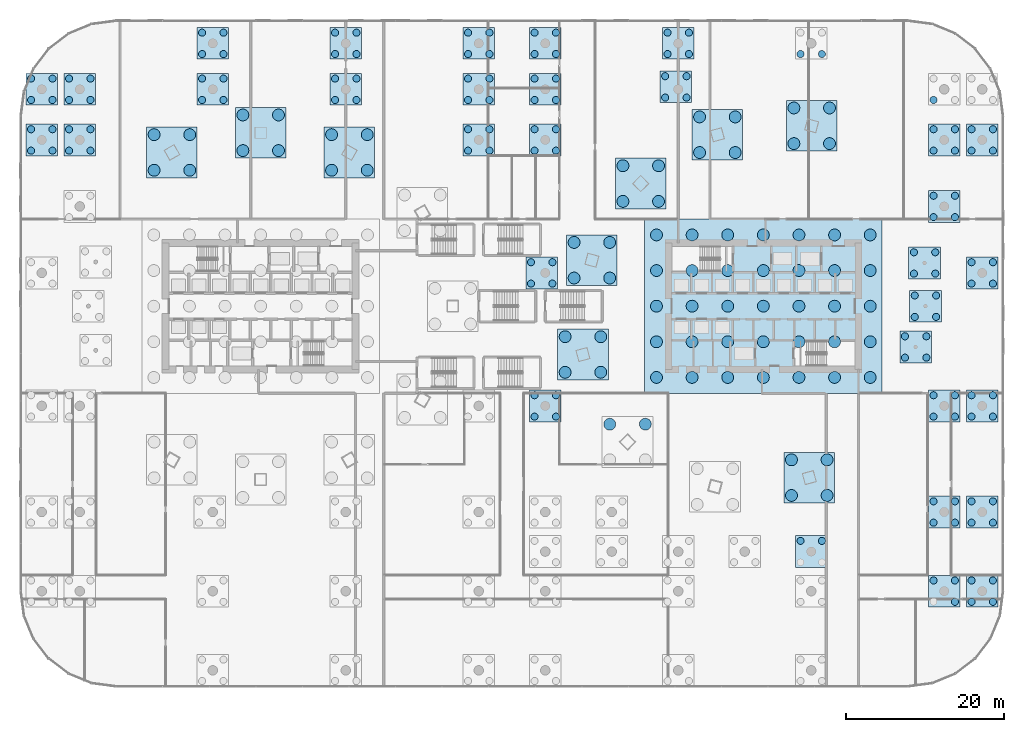
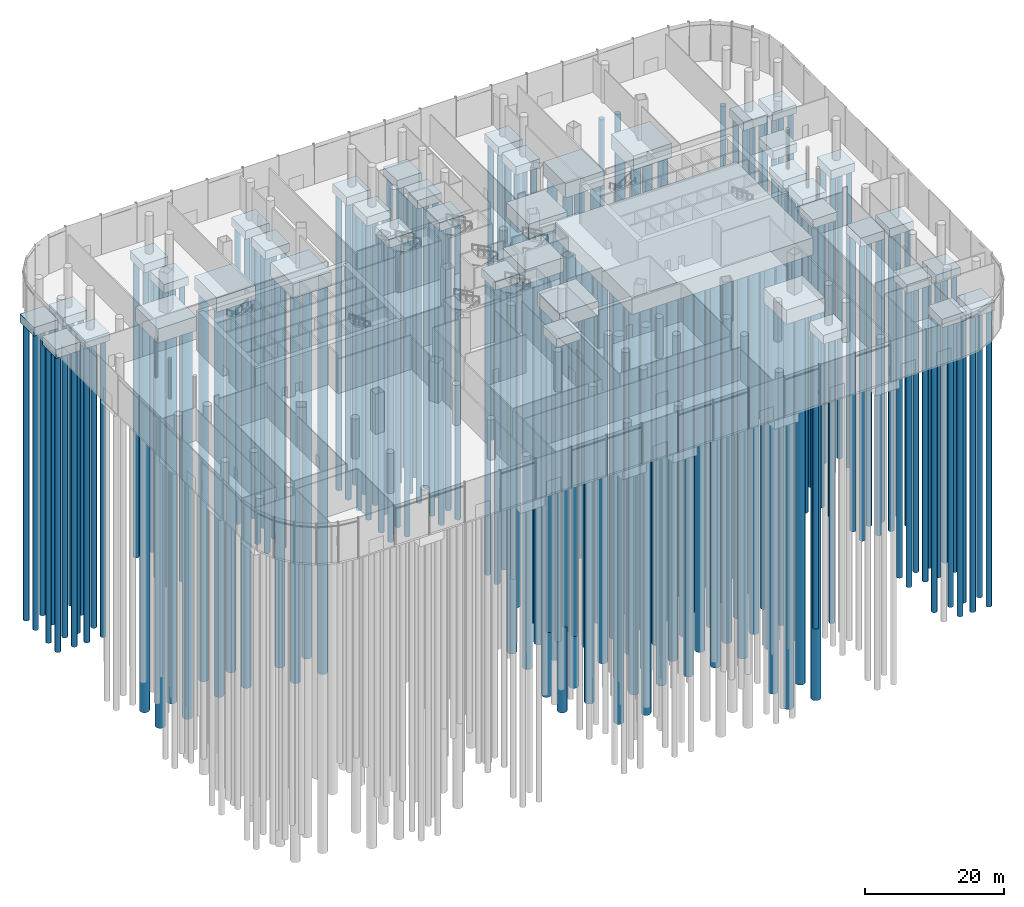
# One storey, part 2 of 41: 201 piles, 42 footings.
"""IFC4 building model written with IfcOpenShell, lengths in metres."""

from ifc_helpers import new_model, si_unit, direction, frame, origin, origin_2d, place, context, subcontext, project, spatial, polyline, rectangle, circle, outline, extrude, material, material_profile, profile_set, type_object, element, save


model = new_model("IFC4")

# Units and contexts
model_context = context("Model", 3, precision=1e-05, world=origin(), true_north=direction((0.0, 1.0)))
body_context = subcontext(model_context, "Body", "Model", "MODEL_VIEW")
ifc_project = project(units=[si_unit("LENGTHUNIT", "METRE"), si_unit("AREAUNIT", "SQUARE_METRE"), si_unit("VOLUMEUNIT", "CUBIC_METRE"), si_unit("PLANEANGLEUNIT", "RADIAN"), si_unit("MASSUNIT", "GRAM", prefix="KILO")], contexts=[model_context])

# Site, building, storey
site_placement = place(None, origin())
site = spatial("IfcSite", under=ifc_project, at=site_placement, CompositionType="ELEMENT")
building_placement = place(site_placement, origin())
building = spatial("IfcBuilding", under=site, at=building_placement, Name="Rimbun Link Towers", CompositionType="ELEMENT")
storey_placement = place(building_placement, origin())
storey = spatial("IfcBuildingStorey", under=building, at=storey_placement, Name="L00", CompositionType="ELEMENT", Elevation=0.0)

# Footings
ifc_material_1 = material(Name="Concrete C50/60", Category="concrete")
footing_type_1 = type_object("IfcFootingType", Name="PILE CAP 4000x4000x1500", PredefinedType="PILE_CAP", material=ifc_material_1)
for number, where, z_axis, x_axis, name in (
    (1, (50.98828125, -5.15478515625, -1.800048828125), (0.0, 0.0, 1.0), (1.0, 0.0, 0.0), "Recess post cap T2 20"),
    (2, (52.226318359375, 0.0, -1.800048828125), (0.0, 0.0, 1.0), (1.0, 0.0, 0.0), "Recess post cap T2 21"),
    (3, (52.118408203125, 5.457763671875, -1.800048828125), (0.0, 0.0, 1.0), (1.0, 0.0, 0.0), "Recess post cap T2 22"),
    (4, (-59.39990234375, 21.0, -1.800048828125), (0.0, 0.0, 1.0), (1.0, 0.0, 0.0), "Pad cap -59.4 +21.0"),
    (5, (-59.39990234375, 27.39990234375, -1.800048828125), (0.0, 0.0, 1.0), (1.0, 0.0, 0.0), "Pad cap -59.4 +27.4"),
    (6, (-54.60009765625, 21.0, -1.800048828125), (0.0, 0.0, 1.0), (1.0, 0.0, 0.0), "Pad cap -54.6 +21.0"),
    (7, (-54.60009765625, 27.39990234375, -1.800048828125), (0.0, 0.0, 1.0), (1.0, 0.0, 0.0), "Pad cap -54.6 +27.4"),
    (8, (-37.800048828125, 27.39990234375, -1.800048828125), (0.0, 0.0, 1.0), (1.0, 0.0, 0.0), "Pad cap -37.8 +27.4"),
    (9, (-37.800048828125, 33.199951171875, -1.800048828125), (0.0, 0.0, 1.0), (1.0, 0.0, 0.0), "Pad cap -37.8 +33.2"),
    (10, (-21.0, 27.39990234375, -1.800048828125), (0.0, 0.0, 1.0), (1.0, 0.0, 0.0), "Pad cap -21.0 +27.4"),
    (11, (-21.0, 33.199951171875, -1.800048828125), (0.0, 0.0, 1.0), (1.0, 0.0, 0.0), "Pad cap -21.0 +33.2"),
    (12, (-4.199951171875, 21.0, -1.800048828125), (0.0, 0.0, 1.0), (1.0, 0.0, 0.0), "Pad cap -4.2 +21.0"),
    (13, (-4.199951171875, 27.39990234375, -1.800048828125), (0.0, 0.0, 1.0), (1.0, 0.0, 0.0), "Pad cap -4.2 +27.4"),
    (14, (-4.199951171875, 33.199951171875, -1.800048828125), (0.0, 0.0, 1.0), (1.0, 0.0, 0.0), "Pad cap -4.2 +33.2"),
    (15, (4.199951171875, -12.60009765625, -1.800048828125), (0.0, 0.0, 1.0), (1.0, 0.0, 0.0), "Pad cap +4.2 -12.6"),
    (16, (3.75, 4.199951171875, -1.800048828125), (0.0, 0.0, 1.0), (1.0, 0.0, 0.0), "Pad cap +4.2 +4.2"),
    (17, (4.199951171875, 21.0, -1.800048828125), (0.0, 0.0, 1.0), (1.0, 0.0, 0.0), "Pad cap +4.2 +21.0"),
    (18, (4.199951171875, 27.39990234375, -1.800048828125), (0.0, 0.0, 1.0), (1.0, 0.0, 0.0), "Pad cap +4.2 +27.4"),
    (19, (4.199951171875, 33.199951171875, -1.800048828125), (0.0, 0.0, 1.0), (1.0, 0.0, 0.0), "Pad cap +4.2 +33.2"),
    (20, (20.699951171875, 27.699951171875, -1.800048828125), (0.0, 0.0, 1.0), (1.0, 0.0, 0.0), "Pad cap +21.0 +27.4"),
    (21, (21.0, 33.199951171875, -1.800048828125), (0.0, 0.0, 1.0), (1.0, 0.0, 0.0), "Pad cap +21.0 +33.2"),
    (22, (37.800048828125, -31.0, -1.800048828125), (0.0, 0.0, 1.0), (1.0, 0.0, 0.0), "Pad cap +37.8 -31.0"),
    (23, (54.60009765625, -36.0, -1.800048828125), (0.0, 0.0, 1.0), (1.0, 0.0, 0.0), "Pad cap +54.6 -36.0"),
    (24, (54.60009765625, -26.0, -1.800048828125), (0.0, 0.0, 1.0), (1.0, 0.0, 0.0), "Pad cap +54.6 -26.0"),
    (25, (54.60009765625, -12.60009765625, -1.800048828125), (0.0, 0.0, 1.0), (1.0, 0.0, 0.0), "Pad cap +54.6 -12.6"),
    (26, (54.60009765625, 12.60009765625, -1.800048828125), (0.0, 0.0, 1.0), (1.0, 0.0, 0.0), "Pad cap +54.6 +12.6"),
    (27, (54.60009765625, 21.0, -1.800048828125), (0.0, 0.0, 1.0), (1.0, 0.0, 0.0), "Pad cap +54.6 +21.0"),
    (28, (59.39990234375, -36.0, -1.800048828125), (0.0, 0.0, 1.0), (1.0, 0.0, 0.0), "Pad cap +59.4 -36.0"),
    (29, (59.39990234375, -26.0, -1.800048828125), (0.0, 0.0, 1.0), (1.0, 0.0, 0.0), "Pad cap +59.4 -26.0"),
    (30, (59.39990234375, -12.60009765625, -1.800048828125), (0.0, 0.0, 1.0), (1.0, 0.0, 0.0), "Pad cap +59.4 -12.6"),
    (31, (59.39990234375, 4.199951171875, -1.800048828125), (0.0, 0.0, 1.0), (1.0, 0.0, 0.0), "Pad cap +59.4 +4.2"),
    (32, (59.39990234375, 21.0, -1.800048828125), (0.0, 0.0, 1.0), (1.0, 0.0, 0.0), "Pad cap +59.4 +21.0"),
):
    element("IfcFooting", number, at=place(storey_placement, frame(where, z_axis=z_axis, x_axis=x_axis)), inside=storey, type_object=footing_type_1, Name=name, PredefinedType="PILE_CAP", context=body_context, shape_type="SweptSolid", body=[
        extrude(rectangle(XDim=4.0, YDim=4.0, at=origin_2d()), origin(), (0.0, 0.0, 1.0), 1.5),
    ])
ifc_material_2 = material(Name="Concrete C50/60", Category="concrete")
footing_type_2 = type_object("IfcFootingType", Name="PILE CAP 6400x6400x2500", PredefinedType="PILE_CAP", material=ifc_material_2)
for number, where, z_axis, x_axis, name in (
    (33, (-20.538818359375, 19.418212890625, -2.800048828125), (0.0, 0.0, 1.0), (1.0, 0.0, 0.0), "Mega column cap T1 04"),
    (34, (-31.75, 21.904296875, -2.800048828125), (0.0, 0.0, 1.0), (1.0, 0.0, 0.0), "Mega column cap T1 06"),
    (35, (-42.961181640625, 19.418212890625, -2.800048828125), (0.0, 0.0, 1.0), (1.0, 0.0, 0.0), "Mega column cap T1 08"),
    (36, (37.856689453125, 22.790283203125, -2.800048828125), (0.0, 0.0, 1.0), (1.0, 0.0, 0.0), "Mega column cap T2 02"),
    (37, (25.94677734375, 21.658203125, -2.800048828125), (0.0, 0.0, 1.0), (1.0, 0.0, 0.0), "Mega column cap T2 04"),
    (38, (16.261474609375, 15.488525390625, -2.800048828125), (0.0, 0.0, 1.0), (1.0, 0.0, 0.0), "Mega column cap T2 06"),
    (39, (10.091796875, 5.80322265625, -2.800048828125), (0.0, 0.0, 1.0), (1.0, 0.0, 0.0), "Mega column cap T2 08"),
    (40, (8.959716796875, -6.106689453125, -2.800048828125), (0.0, 0.0, 1.0), (1.0, 0.0, 0.0), "Mega column cap T2 10"),
    (41, (37.55322265625, -21.658203125, -2.800048828125), (0.0, 0.0, 1.0), (1.0, 0.0, 0.0), "Mega column cap T2 16"),
):
    element("IfcFooting", number, at=place(storey_placement, frame(where, z_axis=z_axis, x_axis=x_axis)), inside=storey, type_object=footing_type_2, Name=name, PredefinedType="PILE_CAP", context=body_context, shape_type="SweptSolid", body=[
        extrude(rectangle(XDim=6.39990234375, YDim=6.39990234375, at=origin_2d()), origin(), (0.0, 0.0, 1.0), 2.5),
    ])

# Piles
ifc_material_3 = material(Name="Concrete C40/50", Category="concrete")
ifc_material_profile_1 = material_profile(ifc_material_3, circle(Radius=0.75, at=origin_2d()), Name="PILE D1500")
ifc_profile_set_1 = profile_set([ifc_material_profile_1], Name="Concrete C40/50")
pile_type_1 = type_object("IfcPileType", Name="PILE D1500", PredefinedType="BORED", material=ifc_profile_set_1)
for number, where, z_axis, x_axis, name in (
    (42, (-22.788818359375, 17.168212890625, -2.699951171875), (0.0, 0.0, -1.0), (1.0, 0.0, 0.0), "Pile T1 cap 04 01"),
    (43, (-22.788818359375, 21.668212890625, -2.699951171875), (0.0, 0.0, -1.0), (1.0, 0.0, 0.0), "Pile T1 cap 04 02"),
    (44, (-18.288818359375, 17.168212890625, -2.699951171875), (0.0, 0.0, -1.0), (1.0, 0.0, 0.0), "Pile T1 cap 04 03"),
    (45, (-18.288818359375, 21.668212890625, -2.699951171875), (0.0, 0.0, -1.0), (1.0, 0.0, 0.0), "Pile T1 cap 04 04"),
    (46, (-34.0, 19.654296875, -2.699951171875), (0.0, 0.0, -1.0), (1.0, 0.0, 0.0), "Pile T1 cap 06 01"),
    (47, (-34.0, 24.154296875, -2.699951171875), (0.0, 0.0, -1.0), (1.0, 0.0, 0.0), "Pile T1 cap 06 02"),
    (48, (-29.5, 19.654296875, -2.699951171875), (0.0, 0.0, -1.0), (1.0, 0.0, 0.0), "Pile T1 cap 06 03"),
    (49, (-29.5, 24.154296875, -2.699951171875), (0.0, 0.0, -1.0), (1.0, 0.0, 0.0), "Pile T1 cap 06 04"),
    (50, (-45.211181640625, 17.168212890625, -2.699951171875), (0.0, 0.0, -1.0), (1.0, 0.0, 0.0), "Pile T1 cap 08 01"),
    (51, (-45.211181640625, 21.668212890625, -2.699951171875), (0.0, 0.0, -1.0), (1.0, 0.0, 0.0), "Pile T1 cap 08 02"),
    (52, (-40.711181640625, 17.168212890625, -2.699951171875), (0.0, 0.0, -1.0), (1.0, 0.0, 0.0), "Pile T1 cap 08 03"),
    (53, (-40.711181640625, 21.668212890625, -2.699951171875), (0.0, 0.0, -1.0), (1.0, 0.0, 0.0), "Pile T1 cap 08 04"),
    (54, (18.25, -9.0, -3.199951171875), (0.0, 0.0, -1.0), (1.0, 0.0, 0.0), "Pile T2 raft 01"),
    (55, (18.25, -4.5, -3.199951171875), (0.0, 0.0, -1.0), (1.0, 0.0, 0.0), "Pile T2 raft 02"),
    (56, (18.25, 0.0, -3.199951171875), (0.0, 0.0, -1.0), (1.0, 0.0, 0.0), "Pile T2 raft 03"),
    (57, (18.25, 4.5, -3.199951171875), (0.0, 0.0, -1.0), (1.0, 0.0, 0.0), "Pile T2 raft 04"),
    (58, (18.25, 9.0, -3.199951171875), (0.0, 0.0, -1.0), (1.0, 0.0, 0.0), "Pile T2 raft 05"),
    (59, (22.75, -9.0, -3.199951171875), (0.0, 0.0, -1.0), (1.0, 0.0, 0.0), "Pile T2 raft 06"),
    (60, (22.75, -4.5, -3.199951171875), (0.0, 0.0, -1.0), (1.0, 0.0, 0.0), "Pile T2 raft 07"),
    (61, (22.75, 0.0, -3.199951171875), (0.0, 0.0, -1.0), (1.0, 0.0, 0.0), "Pile T2 raft 08"),
    (62, (22.75, 4.5, -3.199951171875), (0.0, 0.0, -1.0), (1.0, 0.0, 0.0), "Pile T2 raft 09"),
    (63, (22.75, 9.0, -3.199951171875), (0.0, 0.0, -1.0), (1.0, 0.0, 0.0), "Pile T2 raft 10"),
    (64, (27.25, -9.0, -3.199951171875), (0.0, 0.0, -1.0), (1.0, 0.0, 0.0), "Pile T2 raft 11"),
    (65, (27.25, -4.5, -3.199951171875), (0.0, 0.0, -1.0), (1.0, 0.0, 0.0), "Pile T2 raft 12"),
    (66, (27.25, 0.0, -3.199951171875), (0.0, 0.0, -1.0), (1.0, 0.0, 0.0), "Pile T2 raft 13"),
    (67, (27.25, 4.5, -3.199951171875), (0.0, 0.0, -1.0), (1.0, 0.0, 0.0), "Pile T2 raft 14"),
    (68, (27.25, 9.0, -3.199951171875), (0.0, 0.0, -1.0), (1.0, 0.0, 0.0), "Pile T2 raft 15"),
    (69, (31.75, -9.0, -3.199951171875), (0.0, 0.0, -1.0), (1.0, 0.0, 0.0), "Pile T2 raft 16"),
    (70, (31.75, -4.5, -3.199951171875), (0.0, 0.0, -1.0), (1.0, 0.0, 0.0), "Pile T2 raft 17"),
    (71, (31.75, 0.0, -3.199951171875), (0.0, 0.0, -1.0), (1.0, 0.0, 0.0), "Pile T2 raft 18"),
    (72, (31.75, 4.5, -3.199951171875), (0.0, 0.0, -1.0), (1.0, 0.0, 0.0), "Pile T2 raft 19"),
    (73, (31.75, 9.0, -3.199951171875), (0.0, 0.0, -1.0), (1.0, 0.0, 0.0), "Pile T2 raft 20"),
    (74, (36.25, -9.0, -3.199951171875), (0.0, 0.0, -1.0), (1.0, 0.0, 0.0), "Pile T2 raft 21"),
    (75, (36.25, -4.5, -3.199951171875), (0.0, 0.0, -1.0), (1.0, 0.0, 0.0), "Pile T2 raft 22"),
    (76, (36.25, 0.0, -3.199951171875), (0.0, 0.0, -1.0), (1.0, 0.0, 0.0), "Pile T2 raft 23"),
    (77, (36.25, 4.5, -3.199951171875), (0.0, 0.0, -1.0), (1.0, 0.0, 0.0), "Pile T2 raft 24"),
    (78, (36.25, 9.0, -3.199951171875), (0.0, 0.0, -1.0), (1.0, 0.0, 0.0), "Pile T2 raft 25"),
    (79, (40.75, -9.0, -3.199951171875), (0.0, 0.0, -1.0), (1.0, 0.0, 0.0), "Pile T2 raft 26"),
    (80, (40.75, -4.5, -3.199951171875), (0.0, 0.0, -1.0), (1.0, 0.0, 0.0), "Pile T2 raft 27"),
    (81, (40.75, 0.0, -3.199951171875), (0.0, 0.0, -1.0), (1.0, 0.0, 0.0), "Pile T2 raft 28"),
    (82, (40.75, 4.5, -3.199951171875), (0.0, 0.0, -1.0), (1.0, 0.0, 0.0), "Pile T2 raft 29"),
    (83, (40.75, 9.0, -3.199951171875), (0.0, 0.0, -1.0), (1.0, 0.0, 0.0), "Pile T2 raft 30"),
    (84, (45.25, -9.0, -3.199951171875), (0.0, 0.0, -1.0), (1.0, 0.0, 0.0), "Pile T2 raft 31"),
    (85, (45.25, -4.5, -3.199951171875), (0.0, 0.0, -1.0), (1.0, 0.0, 0.0), "Pile T2 raft 32"),
    (86, (45.25, 0.0, -3.199951171875), (0.0, 0.0, -1.0), (1.0, 0.0, 0.0), "Pile T2 raft 33"),
    (87, (45.25, 4.5, -3.199951171875), (0.0, 0.0, -1.0), (1.0, 0.0, 0.0), "Pile T2 raft 34"),
    (88, (45.25, 9.0, -3.199951171875), (0.0, 0.0, -1.0), (1.0, 0.0, 0.0), "Pile T2 raft 35"),
    (89, (35.606689453125, 20.540283203125, -2.699951171875), (0.0, 0.0, -1.0), (1.0, 0.0, 0.0), "Pile T2 cap 02 01"),
    (90, (35.606689453125, 25.040283203125, -2.699951171875), (0.0, 0.0, -1.0), (1.0, 0.0, 0.0), "Pile T2 cap 02 02"),
    (91, (40.106689453125, 20.540283203125, -2.699951171875), (0.0, 0.0, -1.0), (1.0, 0.0, 0.0), "Pile T2 cap 02 03"),
    (92, (40.106689453125, 25.040283203125, -2.699951171875), (0.0, 0.0, -1.0), (1.0, 0.0, 0.0), "Pile T2 cap 02 04"),
    (93, (23.69677734375, 19.408203125, -2.699951171875), (0.0, 0.0, -1.0), (1.0, 0.0, 0.0), "Pile T2 cap 04 01"),
    (94, (23.69677734375, 23.908203125, -2.699951171875), (0.0, 0.0, -1.0), (1.0, 0.0, 0.0), "Pile T2 cap 04 02"),
    (95, (28.19677734375, 19.408203125, -2.699951171875), (0.0, 0.0, -1.0), (1.0, 0.0, 0.0), "Pile T2 cap 04 03"),
    (96, (28.19677734375, 23.908203125, -2.699951171875), (0.0, 0.0, -1.0), (1.0, 0.0, 0.0), "Pile T2 cap 04 04"),
    (97, (14.011474609375, 13.238525390625, -2.699951171875), (0.0, 0.0, -1.0), (1.0, 0.0, 0.0), "Pile T2 cap 06 01"),
    (98, (14.011474609375, 17.738525390625, -2.699951171875), (0.0, 0.0, -1.0), (1.0, 0.0, 0.0), "Pile T2 cap 06 02"),
    (99, (18.511474609375, 13.238525390625, -2.699951171875), (0.0, 0.0, -1.0), (1.0, 0.0, 0.0), "Pile T2 cap 06 03"),
    (100, (18.511474609375, 17.738525390625, -2.699951171875), (0.0, 0.0, -1.0), (1.0, 0.0, 0.0), "Pile T2 cap 06 04"),
    (101, (7.841796875, 3.55322265625, -2.699951171875), (0.0, 0.0, -1.0), (1.0, 0.0, 0.0), "Pile T2 cap 08 01"),
    (102, (7.841796875, 8.05322265625, -2.699951171875), (0.0, 0.0, -1.0), (1.0, 0.0, 0.0), "Pile T2 cap 08 02"),
    (103, (12.341796875, 3.55322265625, -2.699951171875), (0.0, 0.0, -1.0), (1.0, 0.0, 0.0), "Pile T2 cap 08 03"),
    (104, (12.341796875, 8.05322265625, -2.699951171875), (0.0, 0.0, -1.0), (1.0, 0.0, 0.0), "Pile T2 cap 08 04"),
    (105, (6.709716796875, -8.356689453125, -2.699951171875), (0.0, 0.0, -1.0), (1.0, 0.0, 0.0), "Pile T2 cap 10 01"),
    (106, (6.709716796875, -3.856689453125, -2.699951171875), (0.0, 0.0, -1.0), (1.0, 0.0, 0.0), "Pile T2 cap 10 02"),
    (107, (11.209716796875, -8.356689453125, -2.699951171875), (0.0, 0.0, -1.0), (1.0, 0.0, 0.0), "Pile T2 cap 10 03"),
    (108, (11.209716796875, -3.856689453125, -2.699951171875), (0.0, 0.0, -1.0), (1.0, 0.0, 0.0), "Pile T2 cap 10 04"),
    (109, (12.34375, -14.90625, -2.699951171875), (0.0, 0.0, -1.0), (1.0, 0.0, 0.0), "Pile T2 cap 12 02"),
    (110, (16.84375, -14.90625, -2.699951171875), (0.0, 0.0, -1.0), (1.0, 0.0, 0.0), "Pile T2 cap 12 04"),
    (111, (35.30322265625, -23.908203125, -2.699951171875), (0.0, 0.0, -1.0), (1.0, 0.0, 0.0), "Pile T2 cap 16 01"),
    (112, (35.30322265625, -19.408203125, -2.699951171875), (0.0, 0.0, -1.0), (1.0, 0.0, 0.0), "Pile T2 cap 16 02"),
    (113, (39.80322265625, -23.908203125, -2.699951171875), (0.0, 0.0, -1.0), (1.0, 0.0, 0.0), "Pile T2 cap 16 03"),
    (114, (39.80322265625, -19.408203125, -2.699951171875), (0.0, 0.0, -1.0), (1.0, 0.0, 0.0), "Pile T2 cap 16 04"),
):
    element("IfcPile", number, at=place(storey_placement, frame(where, z_axis=z_axis, x_axis=x_axis)), inside=storey, type_object=pile_type_1, Name=name, PredefinedType="BORED", context=body_context, shape_type="SweptSolid", body=[
        extrude(circle(Radius=0.75, at=origin_2d()), origin(), (0.0, 0.0, 1.0), 68.0),
    ])
ifc_material_4 = material(Name="Concrete C40/50", Category="concrete")
ifc_material_profile_2 = material_profile(ifc_material_4, circle(Radius=0.449951171875, at=origin_2d()), Name="PILE D900")
ifc_profile_set_2 = profile_set([ifc_material_profile_2], Name="Concrete C40/50")
pile_type_2 = type_object("IfcPileType", Name="PILE D900", PredefinedType="BORED", material=ifc_profile_set_2)
for number, where, z_axis, x_axis, name in (
    (115, (49.63818359375, -6.5048828125, -1.699951171875), (0.0, 0.0, -1.0), (1.0, 0.0, 0.0), "Pile T2 recess post 20 01"),
    (116, (49.63818359375, -3.804931640625, -1.699951171875), (0.0, 0.0, -1.0), (1.0, 0.0, 0.0), "Pile T2 recess post 20 02"),
    (117, (52.338134765625, -6.5048828125, -1.699951171875), (0.0, 0.0, -1.0), (1.0, 0.0, 0.0), "Pile T2 recess post 20 03"),
    (118, (52.338134765625, -3.804931640625, -1.699951171875), (0.0, 0.0, -1.0), (1.0, 0.0, 0.0), "Pile T2 recess post 20 04"),
    (119, (50.87646484375, -1.35009765625, -1.699951171875), (0.0, 0.0, -1.0), (1.0, 0.0, 0.0), "Pile T2 recess post 21 01"),
    (120, (50.87646484375, 1.35009765625, -1.699951171875), (0.0, 0.0, -1.0), (1.0, 0.0, 0.0), "Pile T2 recess post 21 02"),
    (121, (53.576416015625, -1.35009765625, -1.699951171875), (0.0, 0.0, -1.0), (1.0, 0.0, 0.0), "Pile T2 recess post 21 03"),
    (122, (53.576416015625, 1.35009765625, -1.699951171875), (0.0, 0.0, -1.0), (1.0, 0.0, 0.0), "Pile T2 recess post 21 04"),
    (123, (50.768310546875, 4.107666015625, -1.699951171875), (0.0, 0.0, -1.0), (1.0, 0.0, 0.0), "Pile T2 recess post 22 01"),
    (124, (50.768310546875, 6.8076171875, -1.699951171875), (0.0, 0.0, -1.0), (1.0, 0.0, 0.0), "Pile T2 recess post 22 02"),
    (125, (53.468505859375, 4.107666015625, -1.699951171875), (0.0, 0.0, -1.0), (1.0, 0.0, 0.0), "Pile T2 recess post 22 03"),
    (126, (53.468505859375, 6.8076171875, -1.699951171875), (0.0, 0.0, -1.0), (1.0, 0.0, 0.0), "Pile T2 recess post 22 04"),
    (127, (-60.75, 19.64990234375, -1.699951171875), (0.0, 0.0, -1.0), (1.0, 0.0, 0.0), "Pile PD -59.4 +21.0 01"),
    (128, (-60.75, 22.35009765625, -1.699951171875), (0.0, 0.0, -1.0), (1.0, 0.0, 0.0), "Pile PD -59.4 +21.0 02"),
    (129, (-58.050048828125, 19.64990234375, -1.699951171875), (0.0, 0.0, -1.0), (1.0, 0.0, 0.0), "Pile PD -59.4 +21.0 03"),
    (130, (-58.050048828125, 22.35009765625, -1.699951171875), (0.0, 0.0, -1.0), (1.0, 0.0, 0.0), "Pile PD -59.4 +21.0 04"),
    (131, (-60.75, 26.050048828125, -1.699951171875), (0.0, 0.0, -1.0), (1.0, 0.0, 0.0), "Pile PD -59.4 +27.4 01"),
    (132, (-60.75, 28.75, -1.699951171875), (0.0, 0.0, -1.0), (1.0, 0.0, 0.0), "Pile PD -59.4 +27.4 02"),
    (133, (-58.050048828125, 26.050048828125, -1.699951171875), (0.0, 0.0, -1.0), (1.0, 0.0, 0.0), "Pile PD -59.4 +27.4 03"),
    (134, (-58.050048828125, 28.75, -1.699951171875), (0.0, 0.0, -1.0), (1.0, 0.0, 0.0), "Pile PD -59.4 +27.4 04"),
    (135, (-55.949951171875, 19.64990234375, -1.699951171875), (0.0, 0.0, -1.0), (1.0, 0.0, 0.0), "Pile PD -54.6 +21.0 01"),
    (136, (-55.949951171875, 22.35009765625, -1.699951171875), (0.0, 0.0, -1.0), (1.0, 0.0, 0.0), "Pile PD -54.6 +21.0 02"),
    (137, (-53.25, 19.64990234375, -1.699951171875), (0.0, 0.0, -1.0), (1.0, 0.0, 0.0), "Pile PD -54.6 +21.0 03"),
    (138, (-53.25, 22.35009765625, -1.699951171875), (0.0, 0.0, -1.0), (1.0, 0.0, 0.0), "Pile PD -54.6 +21.0 04"),
    (139, (-55.949951171875, 26.050048828125, -1.699951171875), (0.0, 0.0, -1.0), (1.0, 0.0, 0.0), "Pile PD -54.6 +27.4 01"),
    (140, (-55.949951171875, 28.75, -1.699951171875), (0.0, 0.0, -1.0), (1.0, 0.0, 0.0), "Pile PD -54.6 +27.4 02"),
    (141, (-53.25, 26.050048828125, -1.699951171875), (0.0, 0.0, -1.0), (1.0, 0.0, 0.0), "Pile PD -54.6 +27.4 03"),
    (142, (-53.25, 28.75, -1.699951171875), (0.0, 0.0, -1.0), (1.0, 0.0, 0.0), "Pile PD -54.6 +27.4 04"),
    (143, (-39.14990234375, 26.050048828125, -1.699951171875), (0.0, 0.0, -1.0), (1.0, 0.0, 0.0), "Pile PD -37.8 +27.4 01"),
    (144, (-39.14990234375, 28.75, -1.699951171875), (0.0, 0.0, -1.0), (1.0, 0.0, 0.0), "Pile PD -37.8 +27.4 02"),
    (145, (-36.449951171875, 26.050048828125, -1.699951171875), (0.0, 0.0, -1.0), (1.0, 0.0, 0.0), "Pile PD -37.8 +27.4 03"),
    (146, (-36.449951171875, 28.75, -1.699951171875), (0.0, 0.0, -1.0), (1.0, 0.0, 0.0), "Pile PD -37.8 +27.4 04"),
    (147, (-39.14990234375, 31.85009765625, -1.699951171875), (0.0, 0.0, -1.0), (1.0, 0.0, 0.0), "Pile PD -37.8 +33.2 01"),
    (148, (-39.14990234375, 34.550048828125, -1.699951171875), (0.0, 0.0, -1.0), (1.0, 0.0, 0.0), "Pile PD -37.8 +33.2 02"),
    (149, (-36.449951171875, 31.85009765625, -1.699951171875), (0.0, 0.0, -1.0), (1.0, 0.0, 0.0), "Pile PD -37.8 +33.2 03"),
    (150, (-36.449951171875, 34.550048828125, -1.699951171875), (0.0, 0.0, -1.0), (1.0, 0.0, 0.0), "Pile PD -37.8 +33.2 04"),
    (151, (-22.35009765625, 26.050048828125, -1.699951171875), (0.0, 0.0, -1.0), (1.0, 0.0, 0.0), "Pile PD -21.0 +27.4 01"),
    (152, (-22.35009765625, 28.75, -1.699951171875), (0.0, 0.0, -1.0), (1.0, 0.0, 0.0), "Pile PD -21.0 +27.4 02"),
    (153, (-19.64990234375, 26.050048828125, -1.699951171875), (0.0, 0.0, -1.0), (1.0, 0.0, 0.0), "Pile PD -21.0 +27.4 03"),
    (154, (-19.64990234375, 28.75, -1.699951171875), (0.0, 0.0, -1.0), (1.0, 0.0, 0.0), "Pile PD -21.0 +27.4 04"),
    (155, (-22.35009765625, 31.85009765625, -1.699951171875), (0.0, 0.0, -1.0), (1.0, 0.0, 0.0), "Pile PD -21.0 +33.2 01"),
    (156, (-22.35009765625, 34.550048828125, -1.699951171875), (0.0, 0.0, -1.0), (1.0, 0.0, 0.0), "Pile PD -21.0 +33.2 02"),
    (157, (-19.64990234375, 31.85009765625, -1.699951171875), (0.0, 0.0, -1.0), (1.0, 0.0, 0.0), "Pile PD -21.0 +33.2 03"),
    (158, (-19.64990234375, 34.550048828125, -1.699951171875), (0.0, 0.0, -1.0), (1.0, 0.0, 0.0), "Pile PD -21.0 +33.2 04"),
    (159, (-5.550048828125, 19.64990234375, -1.699951171875), (0.0, 0.0, -1.0), (1.0, 0.0, 0.0), "Pile PD -4.2 +21.0 01"),
    (160, (-5.550048828125, 22.35009765625, -1.699951171875), (0.0, 0.0, -1.0), (1.0, 0.0, 0.0), "Pile PD -4.2 +21.0 02"),
    (161, (-2.85009765625, 19.64990234375, -1.699951171875), (0.0, 0.0, -1.0), (1.0, 0.0, 0.0), "Pile PD -4.2 +21.0 03"),
    (162, (-2.85009765625, 22.35009765625, -1.699951171875), (0.0, 0.0, -1.0), (1.0, 0.0, 0.0), "Pile PD -4.2 +21.0 04"),
    (163, (-5.550048828125, 26.050048828125, -1.699951171875), (0.0, 0.0, -1.0), (1.0, 0.0, 0.0), "Pile PD -4.2 +27.4 01"),
    (164, (-5.550048828125, 28.75, -1.699951171875), (0.0, 0.0, -1.0), (1.0, 0.0, 0.0), "Pile PD -4.2 +27.4 02"),
    (165, (-2.85009765625, 26.050048828125, -1.699951171875), (0.0, 0.0, -1.0), (1.0, 0.0, 0.0), "Pile PD -4.2 +27.4 03"),
    (166, (-2.85009765625, 28.75, -1.699951171875), (0.0, 0.0, -1.0), (1.0, 0.0, 0.0), "Pile PD -4.2 +27.4 04"),
    (167, (-5.550048828125, 31.85009765625, -1.699951171875), (0.0, 0.0, -1.0), (1.0, 0.0, 0.0), "Pile PD -4.2 +33.2 01"),
    (168, (-5.550048828125, 34.550048828125, -1.699951171875), (0.0, 0.0, -1.0), (1.0, 0.0, 0.0), "Pile PD -4.2 +33.2 02"),
    (169, (-2.85009765625, 31.85009765625, -1.699951171875), (0.0, 0.0, -1.0), (1.0, 0.0, 0.0), "Pile PD -4.2 +33.2 03"),
    (170, (-2.85009765625, 34.550048828125, -1.699951171875), (0.0, 0.0, -1.0), (1.0, 0.0, 0.0), "Pile PD -4.2 +33.2 04"),
    (171, (2.85009765625, -13.949951171875, -1.699951171875), (0.0, 0.0, -1.0), (1.0, 0.0, 0.0), "Pile PD +4.2 -12.6 01"),
    (172, (2.85009765625, -11.25, -1.699951171875), (0.0, 0.0, -1.0), (1.0, 0.0, 0.0), "Pile PD +4.2 -12.6 02"),
    (173, (5.550048828125, -13.949951171875, -1.699951171875), (0.0, 0.0, -1.0), (1.0, 0.0, 0.0), "Pile PD +4.2 -12.6 03"),
    (174, (5.550048828125, -11.25, -1.699951171875), (0.0, 0.0, -1.0), (1.0, 0.0, 0.0), "Pile PD +4.2 -12.6 04"),
    (175, (2.39990234375, 2.85009765625, -1.699951171875), (0.0, 0.0, -1.0), (1.0, 0.0, 0.0), "Pile PD +4.2 +4.2 01"),
    (176, (2.39990234375, 5.550048828125, -1.699951171875), (0.0, 0.0, -1.0), (1.0, 0.0, 0.0), "Pile PD +4.2 +4.2 02"),
    (177, (5.10009765625, 2.85009765625, -1.699951171875), (0.0, 0.0, -1.0), (1.0, 0.0, 0.0), "Pile PD +4.2 +4.2 03"),
    (178, (5.10009765625, 5.550048828125, -1.699951171875), (0.0, 0.0, -1.0), (1.0, 0.0, 0.0), "Pile PD +4.2 +4.2 04"),
    (179, (2.85009765625, 19.64990234375, -1.699951171875), (0.0, 0.0, -1.0), (1.0, 0.0, 0.0), "Pile PD +4.2 +21.0 01"),
    (180, (2.85009765625, 22.35009765625, -1.699951171875), (0.0, 0.0, -1.0), (1.0, 0.0, 0.0), "Pile PD +4.2 +21.0 02"),
    (181, (5.550048828125, 19.64990234375, -1.699951171875), (0.0, 0.0, -1.0), (1.0, 0.0, 0.0), "Pile PD +4.2 +21.0 03"),
    (182, (5.550048828125, 22.35009765625, -1.699951171875), (0.0, 0.0, -1.0), (1.0, 0.0, 0.0), "Pile PD +4.2 +21.0 04"),
    (183, (2.85009765625, 26.050048828125, -1.699951171875), (0.0, 0.0, -1.0), (1.0, 0.0, 0.0), "Pile PD +4.2 +27.4 01"),
    (184, (2.85009765625, 28.75, -1.699951171875), (0.0, 0.0, -1.0), (1.0, 0.0, 0.0), "Pile PD +4.2 +27.4 02"),
    (185, (5.550048828125, 26.050048828125, -1.699951171875), (0.0, 0.0, -1.0), (1.0, 0.0, 0.0), "Pile PD +4.2 +27.4 03"),
    (186, (5.550048828125, 28.75, -1.699951171875), (0.0, 0.0, -1.0), (1.0, 0.0, 0.0), "Pile PD +4.2 +27.4 04"),
    (187, (2.85009765625, 31.85009765625, -1.699951171875), (0.0, 0.0, -1.0), (1.0, 0.0, 0.0), "Pile PD +4.2 +33.2 01"),
    (188, (2.85009765625, 34.550048828125, -1.699951171875), (0.0, 0.0, -1.0), (1.0, 0.0, 0.0), "Pile PD +4.2 +33.2 02"),
    (189, (5.550048828125, 31.85009765625, -1.699951171875), (0.0, 0.0, -1.0), (1.0, 0.0, 0.0), "Pile PD +4.2 +33.2 03"),
    (190, (5.550048828125, 34.550048828125, -1.699951171875), (0.0, 0.0, -1.0), (1.0, 0.0, 0.0), "Pile PD +4.2 +33.2 04"),
    (191, (19.35009765625, 26.35009765625, -1.699951171875), (0.0, 0.0, -1.0), (1.0, 0.0, 0.0), "Pile PD +21.0 +27.4 01"),
    (192, (19.35009765625, 29.050048828125, -1.699951171875), (0.0, 0.0, -1.0), (1.0, 0.0, 0.0), "Pile PD +21.0 +27.4 02"),
    (193, (22.050048828125, 26.35009765625, -1.699951171875), (0.0, 0.0, -1.0), (1.0, 0.0, 0.0), "Pile PD +21.0 +27.4 03"),
    (194, (22.050048828125, 29.050048828125, -1.699951171875), (0.0, 0.0, -1.0), (1.0, 0.0, 0.0), "Pile PD +21.0 +27.4 04"),
    (195, (19.64990234375, 31.85009765625, -1.699951171875), (0.0, 0.0, -1.0), (1.0, 0.0, 0.0), "Pile PD +21.0 +33.2 01"),
    (196, (19.64990234375, 34.550048828125, -1.699951171875), (0.0, 0.0, -1.0), (1.0, 0.0, 0.0), "Pile PD +21.0 +33.2 02"),
    (197, (22.35009765625, 31.85009765625, -1.699951171875), (0.0, 0.0, -1.0), (1.0, 0.0, 0.0), "Pile PD +21.0 +33.2 03"),
    (198, (22.35009765625, 34.550048828125, -1.699951171875), (0.0, 0.0, -1.0), (1.0, 0.0, 0.0), "Pile PD +21.0 +33.2 04"),
    (199, (36.449951171875, -29.64990234375, -1.699951171875), (0.0, 0.0, -1.0), (1.0, 0.0, 0.0), "Pile PD +37.8 -31.0 02"),
    (200, (39.14990234375, -29.64990234375, -1.699951171875), (0.0, 0.0, -1.0), (1.0, 0.0, 0.0), "Pile PD +37.8 -31.0 04"),
    (201, (36.449951171875, 31.85009765625, -1.699951171875), (0.0, 0.0, -1.0), (1.0, 0.0, 0.0), "Pile PD +37.8 +33.2 01"),
    (202, (39.14990234375, 31.85009765625, -1.699951171875), (0.0, 0.0, -1.0), (1.0, 0.0, 0.0), "Pile PD +37.8 +33.2 03"),
    (203, (53.25, -34.64990234375, -1.699951171875), (0.0, 0.0, -1.0), (1.0, 0.0, 0.0), "Pile PD +54.6 -36.0 02"),
    (204, (55.949951171875, -37.35009765625, -1.699951171875), (0.0, 0.0, -1.0), (1.0, 0.0, 0.0), "Pile PD +54.6 -36.0 03"),
    (205, (55.949951171875, -34.64990234375, -1.699951171875), (0.0, 0.0, -1.0), (1.0, 0.0, 0.0), "Pile PD +54.6 -36.0 04"),
    (206, (53.25, -27.35009765625, -1.699951171875), (0.0, 0.0, -1.0), (1.0, 0.0, 0.0), "Pile PD +54.6 -26.0 01"),
    (207, (53.25, -24.64990234375, -1.699951171875), (0.0, 0.0, -1.0), (1.0, 0.0, 0.0), "Pile PD +54.6 -26.0 02"),
    (208, (55.949951171875, -27.35009765625, -1.699951171875), (0.0, 0.0, -1.0), (1.0, 0.0, 0.0), "Pile PD +54.6 -26.0 03"),
    (209, (55.949951171875, -24.64990234375, -1.699951171875), (0.0, 0.0, -1.0), (1.0, 0.0, 0.0), "Pile PD +54.6 -26.0 04"),
    (210, (53.25, -13.949951171875, -1.699951171875), (0.0, 0.0, -1.0), (1.0, 0.0, 0.0), "Pile PD +54.6 -12.6 01"),
    (211, (53.25, -11.25, -1.699951171875), (0.0, 0.0, -1.0), (1.0, 0.0, 0.0), "Pile PD +54.6 -12.6 02"),
    (212, (55.949951171875, -13.949951171875, -1.699951171875), (0.0, 0.0, -1.0), (1.0, 0.0, 0.0), "Pile PD +54.6 -12.6 03"),
    (213, (55.949951171875, -11.25, -1.699951171875), (0.0, 0.0, -1.0), (1.0, 0.0, 0.0), "Pile PD +54.6 -12.6 04"),
    (214, (53.25, 11.25, -1.699951171875), (0.0, 0.0, -1.0), (1.0, 0.0, 0.0), "Pile PD +54.6 +12.6 01"),
    (215, (53.25, 13.949951171875, -1.699951171875), (0.0, 0.0, -1.0), (1.0, 0.0, 0.0), "Pile PD +54.6 +12.6 02"),
    (216, (55.949951171875, 11.25, -1.699951171875), (0.0, 0.0, -1.0), (1.0, 0.0, 0.0), "Pile PD +54.6 +12.6 03"),
    (217, (55.949951171875, 13.949951171875, -1.699951171875), (0.0, 0.0, -1.0), (1.0, 0.0, 0.0), "Pile PD +54.6 +12.6 04"),
    (218, (53.25, 19.64990234375, -1.699951171875), (0.0, 0.0, -1.0), (1.0, 0.0, 0.0), "Pile PD +54.6 +21.0 01"),
    (219, (53.25, 22.35009765625, -1.699951171875), (0.0, 0.0, -1.0), (1.0, 0.0, 0.0), "Pile PD +54.6 +21.0 02"),
    (220, (55.949951171875, 19.64990234375, -1.699951171875), (0.0, 0.0, -1.0), (1.0, 0.0, 0.0), "Pile PD +54.6 +21.0 03"),
    (221, (55.949951171875, 22.35009765625, -1.699951171875), (0.0, 0.0, -1.0), (1.0, 0.0, 0.0), "Pile PD +54.6 +21.0 04"),
    (222, (53.25, 26.050048828125, -1.699951171875), (0.0, 0.0, -1.0), (1.0, 0.0, 0.0), "Pile PD +54.6 +27.4 01"),
    (223, (58.050048828125, -37.35009765625, -1.699951171875), (0.0, 0.0, -1.0), (1.0, 0.0, 0.0), "Pile PD +59.4 -36.0 01"),
    (224, (58.050048828125, -34.64990234375, -1.699951171875), (0.0, 0.0, -1.0), (1.0, 0.0, 0.0), "Pile PD +59.4 -36.0 02"),
    (225, (60.75, -37.35009765625, -1.699951171875), (0.0, 0.0, -1.0), (1.0, 0.0, 0.0), "Pile PD +59.4 -36.0 03"),
    (226, (60.75, -34.64990234375, -1.699951171875), (0.0, 0.0, -1.0), (1.0, 0.0, 0.0), "Pile PD +59.4 -36.0 04"),
    (227, (58.050048828125, -27.35009765625, -1.699951171875), (0.0, 0.0, -1.0), (1.0, 0.0, 0.0), "Pile PD +59.4 -26.0 01"),
    (228, (58.050048828125, -24.64990234375, -1.699951171875), (0.0, 0.0, -1.0), (1.0, 0.0, 0.0), "Pile PD +59.4 -26.0 02"),
    (229, (60.75, -27.35009765625, -1.699951171875), (0.0, 0.0, -1.0), (1.0, 0.0, 0.0), "Pile PD +59.4 -26.0 03"),
    (230, (60.75, -24.64990234375, -1.699951171875), (0.0, 0.0, -1.0), (1.0, 0.0, 0.0), "Pile PD +59.4 -26.0 04"),
    (231, (58.050048828125, -13.949951171875, -1.699951171875), (0.0, 0.0, -1.0), (1.0, 0.0, 0.0), "Pile PD +59.4 -12.6 01"),
    (232, (58.050048828125, -11.25, -1.699951171875), (0.0, 0.0, -1.0), (1.0, 0.0, 0.0), "Pile PD +59.4 -12.6 02"),
    (233, (60.75, -13.949951171875, -1.699951171875), (0.0, 0.0, -1.0), (1.0, 0.0, 0.0), "Pile PD +59.4 -12.6 03"),
    (234, (60.75, -11.25, -1.699951171875), (0.0, 0.0, -1.0), (1.0, 0.0, 0.0), "Pile PD +59.4 -12.6 04"),
    (235, (58.050048828125, 2.85009765625, -1.699951171875), (0.0, 0.0, -1.0), (1.0, 0.0, 0.0), "Pile PD +59.4 +4.2 01"),
    (236, (58.050048828125, 5.550048828125, -1.699951171875), (0.0, 0.0, -1.0), (1.0, 0.0, 0.0), "Pile PD +59.4 +4.2 02"),
    (237, (60.75, 2.85009765625, -1.699951171875), (0.0, 0.0, -1.0), (1.0, 0.0, 0.0), "Pile PD +59.4 +4.2 03"),
    (238, (60.75, 5.550048828125, -1.699951171875), (0.0, 0.0, -1.0), (1.0, 0.0, 0.0), "Pile PD +59.4 +4.2 04"),
    (239, (58.050048828125, 19.64990234375, -1.699951171875), (0.0, 0.0, -1.0), (1.0, 0.0, 0.0), "Pile PD +59.4 +21.0 01"),
    (240, (58.050048828125, 22.35009765625, -1.699951171875), (0.0, 0.0, -1.0), (1.0, 0.0, 0.0), "Pile PD +59.4 +21.0 02"),
    (241, (60.75, 19.64990234375, -1.699951171875), (0.0, 0.0, -1.0), (1.0, 0.0, 0.0), "Pile PD +59.4 +21.0 03"),
    (242, (60.75, 22.35009765625, -1.699951171875), (0.0, 0.0, -1.0), (1.0, 0.0, 0.0), "Pile PD +59.4 +21.0 04"),
):
    element("IfcPile", number, at=place(storey_placement, frame(where, z_axis=z_axis, x_axis=x_axis)), inside=storey, type_object=pile_type_2, Name=name, PredefinedType="BORED", context=body_context, shape_type="SweptSolid", body=[
        extrude(circle(Radius=0.449951171875, at=origin_2d()), origin(), (0.0, 0.0, 1.0), 52.0),
    ])

# Footing
ifc_material_5 = material(Name="Concrete C50/60", Category="concrete")
footing_type_3 = type_object("IfcFootingType", Name="RAFT 30000x22000x3000", PredefinedType="PILE_CAP", material=ifc_material_5)
footing_placement = place(storey_placement, frame((0.0, 0.0, -3.300048828125)))
element("IfcFooting", 243, at=footing_placement, inside=storey, type_object=footing_type_3, Name="Core raft T2", PredefinedType="PILE_CAP", context=body_context, shape_type="SweptSolid", body=[
    extrude(outline(polyline([(16.75, -11.0), (46.75, -11.0), (46.75, 11.0), (16.75, 11.0), (16.75, -11.0)])), origin(), (0.0, 0.0, 1.0), 3.0),
])

save(model, "model.ifc")
